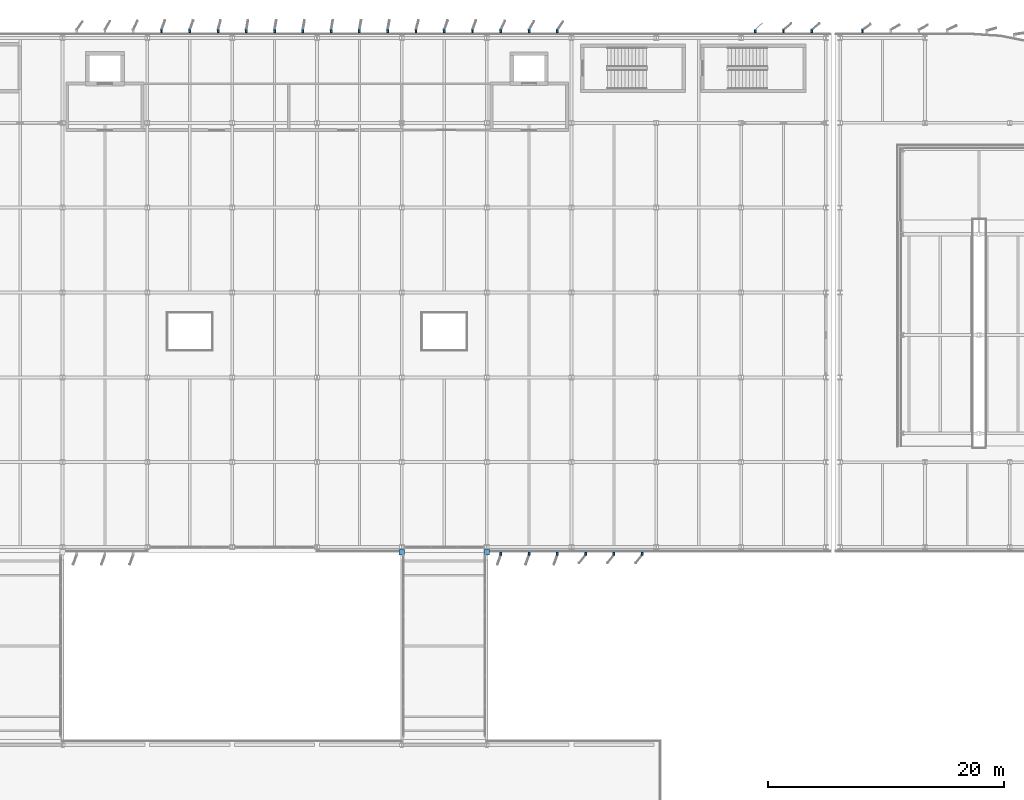
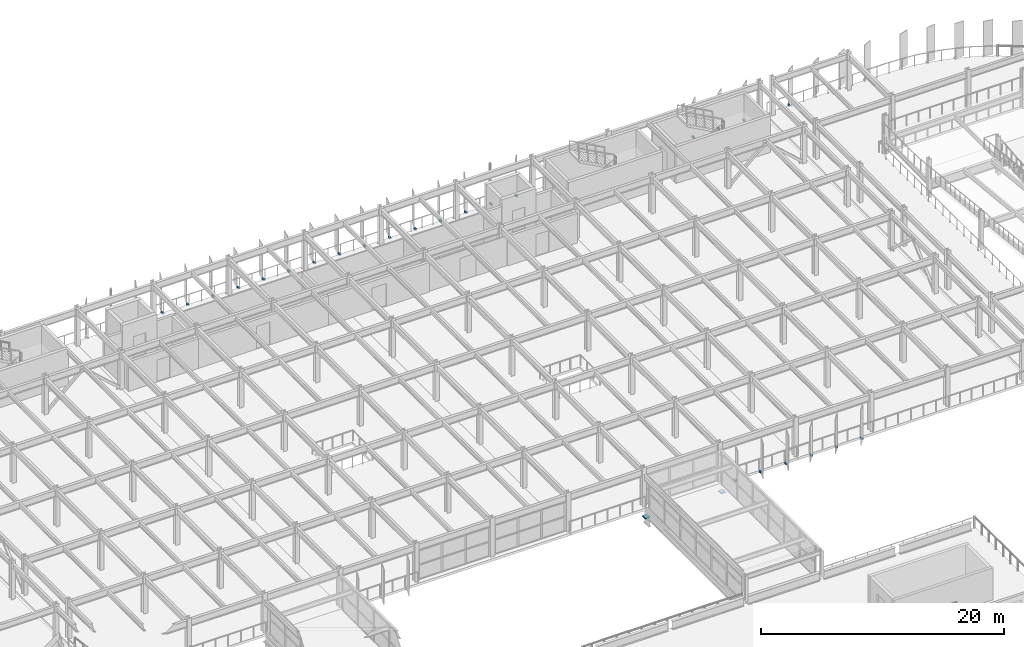
# One storey, part 71 of 93: 27 discrete accessories.
"""IFC4 building model written with IfcOpenShell, lengths in metres."""

from ifc_helpers import new_model, si_unit, direction, frame, origin, origin_2d, place, context, subcontext, project, spatial, rectangle, extrude, material, type_object, element, save


model = new_model("IFC4")

# Units and contexts
model_context = context("Model", 3, precision=1e-05, world=origin(), true_north=direction((0.0, 1.0)))
body_context = subcontext(model_context, "Body", "Model", "MODEL_VIEW")
ifc_project = project(units=[si_unit("LENGTHUNIT", "METRE"), si_unit("AREAUNIT", "SQUARE_METRE"), si_unit("VOLUMEUNIT", "CUBIC_METRE"), si_unit("PLANEANGLEUNIT", "RADIAN"), si_unit("MASSUNIT", "GRAM", prefix="KILO")], contexts=[model_context])

# Site, building, storey
site_placement = place(None, origin())
site = spatial("IfcSite", under=ifc_project, at=site_placement, CompositionType="ELEMENT")
building_placement = place(site_placement, origin())
building = spatial("IfcBuilding", under=site, at=building_placement, Name="Vaelcorin Mobility Hub", CompositionType="ELEMENT")
storey_placement = place(building_placement, frame((0.0, 0.0, 5.39990234375)))
storey = spatial("IfcBuildingStorey", under=building, at=storey_placement, Name="L01", CompositionType="ELEMENT", Elevation=5.39990234375)

# Discrete accessories
ifc_material_1 = material(Name="PTFE laminated elastomeric bearing")
discrete_accessory_type_1 = type_object("IfcDiscreteAccessoryType", Name="ACC-BRG1", PredefinedType="USERDEFINED", material=ifc_material_1)
for number, where, z_axis, x_axis, name in (
    (1, (86.39990234375, 76.35009765625, -0.911865234375), (0.0, 0.0, 1.0), (1.0, 0.0, 0.0), "Unguided PTFE Sliding Bearing BRG-1 LB2-W"),
    (2, (93.60009765625, 76.35009765625, -0.911865234375), (0.0, 0.0, 1.0), (1.0, 0.0, 0.0), "Unguided PTFE Sliding Bearing BRG-1 LB2-E"),
):
    element("IfcDiscreteAccessory", number, at=place(storey_placement, frame(where, z_axis=z_axis, x_axis=x_axis)), inside=storey, type_object=discrete_accessory_type_1, Name=name, ObjectType="SLIDING BEARING", PredefinedType="USERDEFINED", context=body_context, shape_type="SweptSolid", body=[
        extrude(rectangle(XDim=0.449951171875, YDim=0.5, at=origin_2d()), origin(), (0.0, 0.0, 1.0), 0.080078125),
    ])
ifc_material_2 = material(Name="Galvanised structural steel ASTM A36", Category="steel")
discrete_accessory_type_2 = type_object("IfcDiscreteAccessoryType", Name="ACC-BRK-FIN", PredefinedType="BRACKET", material=ifc_material_2)
for number, where, z_axis, x_axis, name in (
    (3, (66.0, 120.570068359375, -0.15966796875), (0.0, 0.0, 1.0), (0.0, 1.0, 0.0), "Aerofoil Outrigger Bracket FIN-V4-L01-N-05-BK-01"),
    (4, (68.39990234375, 120.570068359375, -0.15966796875), (0.0, 0.0, 1.0), (0.0, 1.0, 0.0), "Aerofoil Outrigger Bracket FIN-V4-L01-N-05-BK-02"),
    (5, (70.800048828125, 120.570068359375, -0.15966796875), (0.0, 0.0, 1.0), (0.0, 1.0, 0.0), "Aerofoil Outrigger Bracket FIN-V4-L01-N-05-BK-03"),
    (6, (73.199951171875, 120.570068359375, -0.15966796875), (0.0, 0.0, 1.0), (0.0, 1.0, 0.0), "Aerofoil Outrigger Bracket FIN-V4-L01-N-06-BK-01"),
    (7, (75.60009765625, 120.570068359375, -0.15966796875), (0.0, 0.0, 1.0), (0.0, 1.0, 0.0), "Aerofoil Outrigger Bracket FIN-V4-L01-N-06-BK-02"),
    (8, (78.0, 120.570068359375, -0.15966796875), (0.0, 0.0, 1.0), (0.0, 1.0, 0.0), "Aerofoil Outrigger Bracket FIN-V4-L01-N-06-BK-03"),
    (9, (80.39990234375, 120.570068359375, -0.15966796875), (0.0, 0.0, 1.0), (0.0, 1.0, 0.0), "Aerofoil Outrigger Bracket FIN-V4-L01-N-07-BK-01"),
    (10, (82.800048828125, 120.570068359375, -0.15966796875), (0.0, 0.0, 1.0), (0.0, 1.0, 0.0), "Aerofoil Outrigger Bracket FIN-V4-L01-N-07-BK-02"),
    (11, (85.199951171875, 120.570068359375, -0.15966796875), (0.0, 0.0, 1.0), (0.0, 1.0, 0.0), "Aerofoil Outrigger Bracket FIN-V4-L01-N-07-BK-03"),
    (12, (87.60009765625, 120.570068359375, -0.15966796875), (0.0, 0.0, 1.0), (0.0, 1.0, 0.0), "Aerofoil Outrigger Bracket FIN-V4-L01-N-08-BK-01"),
    (13, (90.0, 120.570068359375, -0.15966796875), (0.0, 0.0, 1.0), (0.0, 1.0, 0.0), "Aerofoil Outrigger Bracket FIN-V4-L01-N-08-BK-02"),
    (14, (92.39990234375, 120.570068359375, -0.15966796875), (0.0, 0.0, 1.0), (0.0, 1.0, 0.0), "Aerofoil Outrigger Bracket FIN-V4-L01-N-08-BK-03"),
    (15, (99.60009765625, 76.22998046875, -0.15966796875), (0.0, 0.0, 1.0), (0.0, -1.0, 0.0), "Aerofoil Outrigger Bracket FIN-V4-L01-S-09-BK-01"),
    (16, (97.199951171875, 76.22998046875, -0.15966796875), (0.0, 0.0, 1.0), (0.0, -1.0, 0.0), "Aerofoil Outrigger Bracket FIN-V4-L01-S-09-BK-02"),
    (17, (94.800048828125, 76.22998046875, -0.15966796875), (0.0, 0.0, 1.0), (0.0, -1.0, 0.0), "Aerofoil Outrigger Bracket FIN-V4-L01-S-09-BK-03"),
    (18, (94.800048828125, 120.570068359375, -0.15966796875), (0.0, 0.0, 1.0), (0.0, 1.0, 0.0), "Aerofoil Outrigger Bracket FIN-V4-L01-N-09-BK-01"),
    (19, (97.199951171875, 120.570068359375, -0.15966796875), (0.0, 0.0, 1.0), (0.0, 1.0, 0.0), "Aerofoil Outrigger Bracket FIN-V4-L01-N-09-BK-02"),
    (20, (99.60009765625, 120.570068359375, -0.15966796875), (0.0, 0.0, 1.0), (0.0, 1.0, 0.0), "Aerofoil Outrigger Bracket FIN-V4-L01-N-09-BK-03"),
    (21, (106.800048828125, 76.22998046875, -0.15966796875), (0.0, 0.0, 1.0), (0.0, -1.0, 0.0), "Aerofoil Outrigger Bracket FIN-V4-L01-S-10-BK-01"),
    (22, (104.39990234375, 76.22998046875, -0.15966796875), (0.0, 0.0, 1.0), (0.0, -1.0, 0.0), "Aerofoil Outrigger Bracket FIN-V4-L01-S-10-BK-02"),
    (23, (102.0, 76.22998046875, -0.15966796875), (0.0, 0.0, 1.0), (0.0, -1.0, 0.0), "Aerofoil Outrigger Bracket FIN-V4-L01-S-10-BK-03"),
    (24, (116.39990234375, 120.570068359375, -0.15966796875), (0.0, 0.0, 1.0), (0.0, 1.0, 0.0), "Aerofoil Outrigger Bracket FIN-V4-L01-N-12-BK-01"),
    (25, (118.800048828125, 120.570068359375, -0.15966796875), (0.0, 0.0, 1.0), (0.0, 1.0, 0.0), "Aerofoil Outrigger Bracket FIN-V4-L01-N-12-BK-02"),
    (26, (121.199951171875, 120.570068359375, -0.15966796875), (0.0, 0.0, 1.0), (0.0, 1.0, 0.0), "Aerofoil Outrigger Bracket FIN-V4-L01-N-12-BK-03"),
    (27, (125.5, 120.570068359375, -0.15966796875), (0.0, 0.0, 1.0), (0.0, 1.0, 0.0), "Aerofoil Outrigger Bracket FIN-V2E-L01-N-BK-01"),
):
    element("IfcDiscreteAccessory", number, at=place(storey_placement, frame(where, z_axis=z_axis, x_axis=x_axis)), inside=storey, type_object=discrete_accessory_type_2, Name=name, PredefinedType="BRACKET", context=body_context, shape_type="SweptSolid", body=[
        extrude(rectangle(XDim=0.280029296875, YDim=0.159912109375, at=origin_2d()), origin(), (0.0, 0.0, 1.0), 0.159912109375),
    ])

save(model, "model.ifc")
